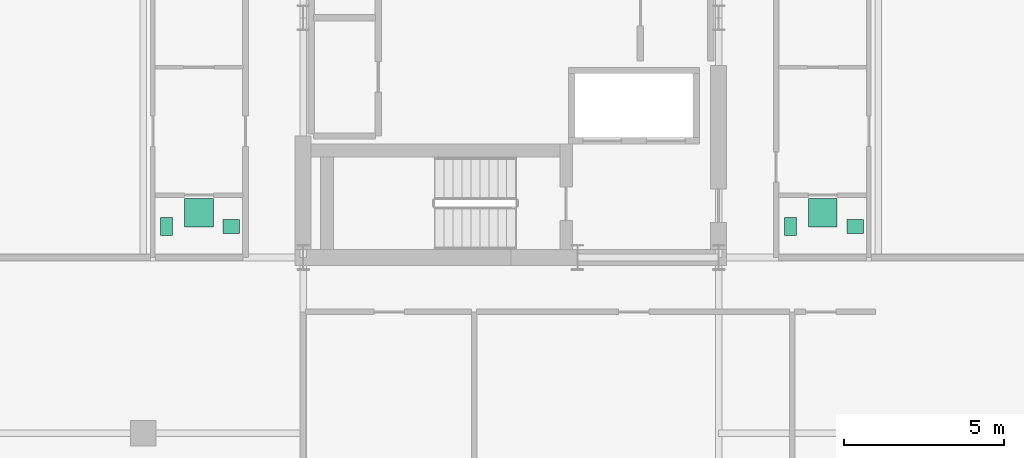
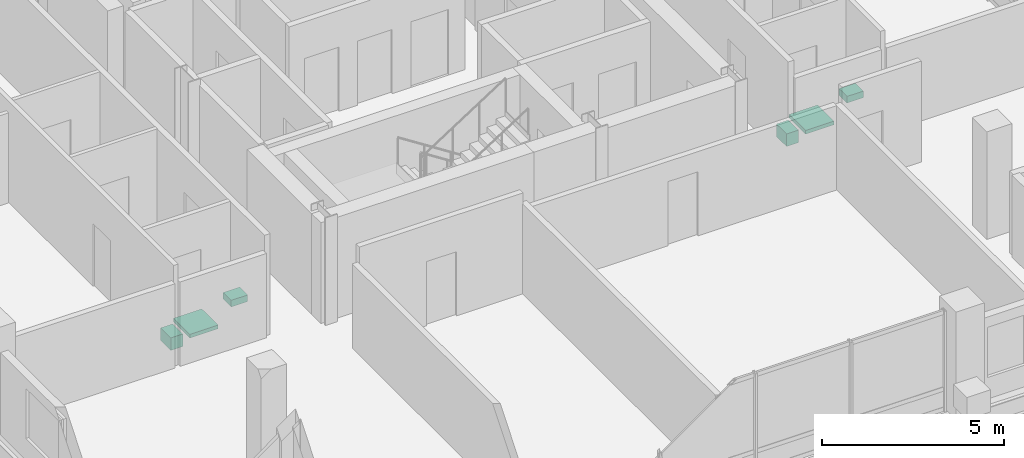
# One storey, part 21 of 21: 6 sanitary terminals.
"""IFC4 building model written with IfcOpenShell, lengths in metres."""

from ifc_helpers import new_model, si_unit, direction, frame, origin, origin_2d, place, context, subcontext, project, spatial, rectangle, extrude, material, type_object, element, save


model = new_model("IFC4")

# Units and contexts
model_context = context("Model", 3, precision=1e-05, world=origin(), true_north=direction((0.0, 1.0)))
body_context = subcontext(model_context, "Body", "Model", "MODEL_VIEW")
ifc_project = project(units=[si_unit("LENGTHUNIT", "METRE"), si_unit("AREAUNIT", "SQUARE_METRE"), si_unit("VOLUMEUNIT", "CUBIC_METRE"), si_unit("PLANEANGLEUNIT", "RADIAN"), si_unit("MASSUNIT", "GRAM", prefix="KILO")], contexts=[model_context])

# Site, building, storey
site_placement = place(None, origin())
site = spatial("IfcSite", under=ifc_project, at=site_placement, CompositionType="ELEMENT")
building_placement = place(site_placement, origin())
building = spatial("IfcBuilding", under=site, at=building_placement, Name="Barlavira Tower and Art Museum", CompositionType="ELEMENT")
storey_placement = place(building_placement, frame((0.0, 0.0, 287.10009765625)))
storey = spatial("IfcBuildingStorey", under=building, at=storey_placement, Name="L75", CompositionType="ELEMENT", Elevation=287.10009765625)

# Sanitary terminals
ifc_material = material(Name="Vitreous glazed ceramic", Category="ceramic")
sanitary_terminal_type_1 = type_object("IfcSanitaryTerminalType", Name="Countertop Ceramic Wash Hand Basin", PredefinedType="WASHHANDBASIN", material=ifc_material)
for number, where, z_axis, x_axis, name in (
    (1, (-8.75, -6.52490234375, 0.73974609375), (0.0, 0.0, 1.0), (1.0, 0.0, 0.0), "L75-W1-BTH1 Wash Basin"),
    (2, (10.77001953125, -6.52490234375, 0.73974609375), (0.0, 0.0, 1.0), (1.0, 0.0, 0.0), "L75-E1-BTH1 Wash Basin"),
):
    element("IfcSanitaryTerminal", number, at=place(storey_placement, frame(where, z_axis=z_axis, x_axis=x_axis)), inside=storey, type_object=sanitary_terminal_type_1, Name=name, PredefinedType="WASHHANDBASIN", context=body_context, shape_type="SweptSolid", body=[
        extrude(rectangle(XDim=0.52001953125, YDim=0.43994140625, at=origin_2d()), origin(), (0.0, 0.0, 1.0), 0.219970703125),
    ])
sanitary_terminal_type_2 = type_object("IfcSanitaryTerminalType", Name="Walk-In Thermostatic Rain Shower Unit", PredefinedType="SHOWER", material=ifc_material)
for number, where, z_axis, x_axis, name in (
    (3, (-9.760009765625, -6.10009765625, -0.000244140625), (0.0, 0.0, 1.0), (1.0, 0.0, 0.0), "L75-W1-BTH1 Rain Shower"),
    (4, (9.760009765625, -6.10009765625, -0.000244140625), (0.0, 0.0, 1.0), (1.0, 0.0, 0.0), "L75-E1-BTH1 Rain Shower"),
):
    element("IfcSanitaryTerminal", number, at=place(storey_placement, frame(where, z_axis=z_axis, x_axis=x_axis)), inside=storey, type_object=sanitary_terminal_type_2, Name=name, PredefinedType="SHOWER", context=body_context, shape_type="SweptSolid", body=[
        extrude(rectangle(XDim=0.89990234375, YDim=0.89990234375, at=origin_2d()), origin(), (0.0, 0.0, 1.0), 0.1201171875),
    ])
sanitary_terminal_type_3 = type_object("IfcSanitaryTerminalType", Name="Wall-Hung Dual-Flush Vitreous WC Pan", PredefinedType="TOILETPAN", material=ifc_material)
for number, where, z_axis, x_axis, name in (
    (5, (-10.77001953125, -6.52490234375, 0.0), (0.0, 0.0, 1.0), (1.0, 0.0, 0.0), "L75-W1-BTH1 WC Pan"),
    (6, (8.75, -6.52490234375, 0.0), (0.0, 0.0, 1.0), (1.0, 0.0, 0.0), "L75-E1-BTH1 WC Pan"),
):
    element("IfcSanitaryTerminal", number, at=place(storey_placement, frame(where, z_axis=z_axis, x_axis=x_axis)), inside=storey, type_object=sanitary_terminal_type_3, Name=name, PredefinedType="TOILETPAN", context=body_context, shape_type="SweptSolid", body=[
        extrude(rectangle(XDim=0.3798828125, YDim=0.56005859375, at=origin_2d()), origin(), (0.0, 0.0, 1.0), 0.419921875),
    ])

save(model, "model.ifc")
